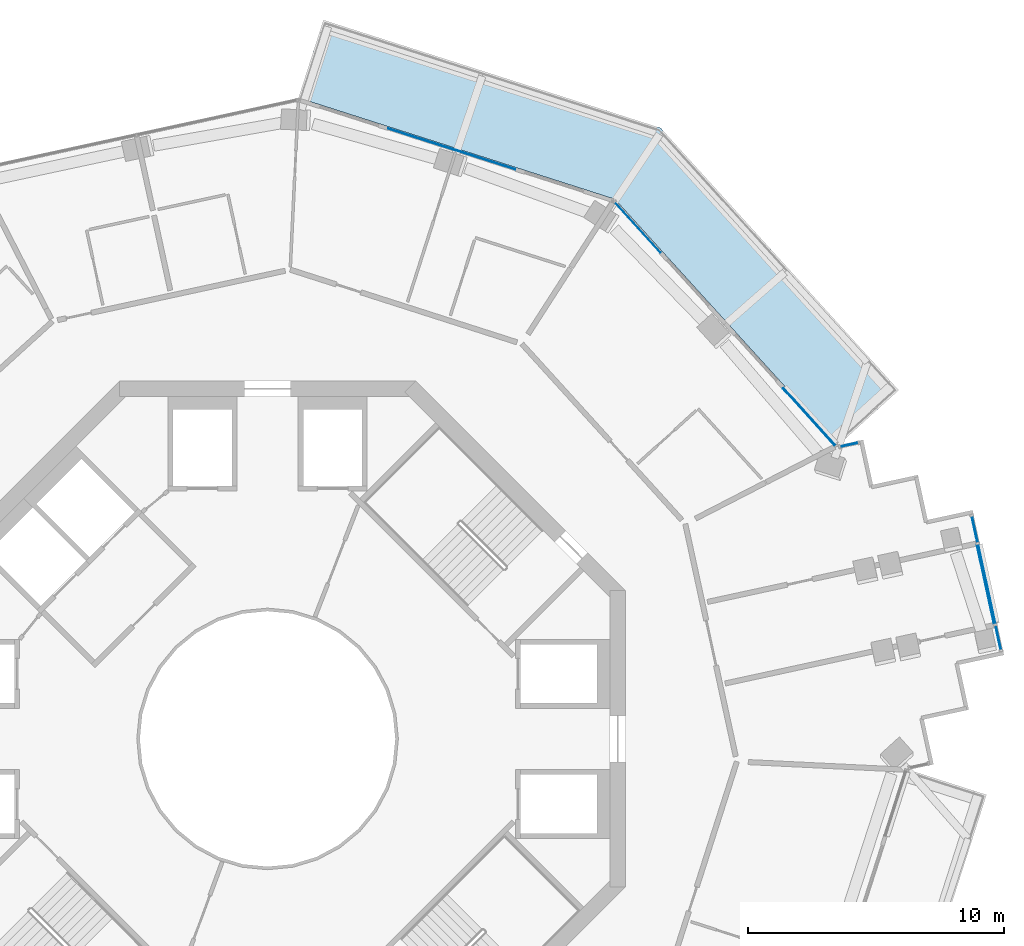
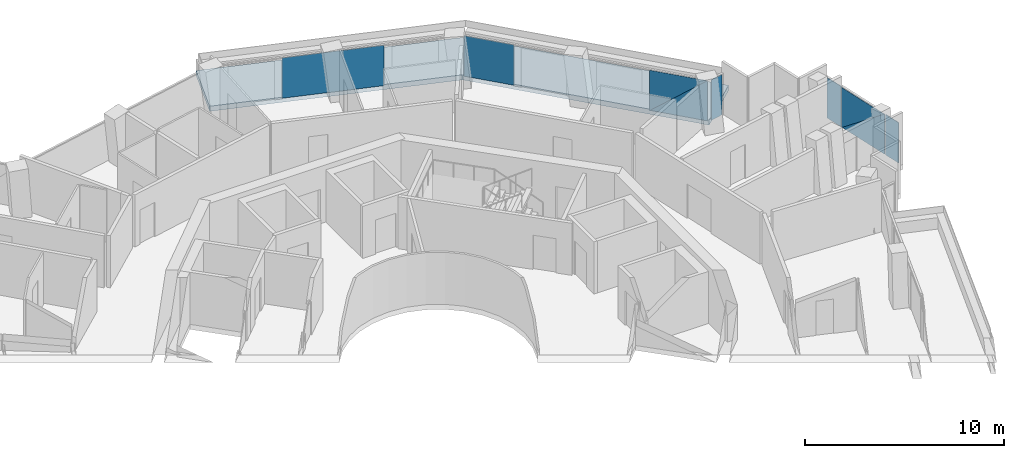
# One storey, part 14 of 23: 9 plates, 1 slab, 4 elements without a shape of their own.
"""IFC4 building model written with IfcOpenShell, lengths in metres."""

from ifc_helpers import new_model, si_unit, direction, frame, origin, origin_2d, place, context, subcontext, project, spatial, polyline, rectangle, outline, extrude, material, layer, layer_set, type_object, element, aggregate, save


model = new_model("IFC4")

# Units and contexts
model_context = context("Model", 3, precision=1e-05, world=origin(), true_north=direction((0.0, 1.0)))
body_context = subcontext(model_context, "Body", "Model", "MODEL_VIEW")
ifc_project = project(units=[si_unit("LENGTHUNIT", "METRE"), si_unit("AREAUNIT", "SQUARE_METRE"), si_unit("VOLUMEUNIT", "CUBIC_METRE"), si_unit("PLANEANGLEUNIT", "RADIAN"), si_unit("MASSUNIT", "GRAM", prefix="KILO")], contexts=[model_context])

# Site, building, storey
site_placement = place(None, origin())
site = spatial("IfcSite", under=ifc_project, at=site_placement, CompositionType="ELEMENT")
building_placement = place(site_placement, origin())
building = spatial("IfcBuilding", under=site, at=building_placement, Name="Verdalira Terraces Hotel", CompositionType="ELEMENT")
storey_placement = place(building_placement, frame((0.0, 0.0, 205.5)))
storey = spatial("IfcBuildingStorey", under=building, at=storey_placement, Name="L50", CompositionType="ELEMENT", Elevation=205.5)

# Slab
ifc_material_1 = material(Name="Precast concrete C40/50", Category="concrete")
ifc_layer_1 = layer(ifc_material_1, 0.31005859375)
ifc_layer_set_1 = layer_set([ifc_layer_1], Name="Balcony deck 310")
slab_type = type_object("IfcSlabType", Name="Balcony deck 310", PredefinedType="FLOOR", material=ifc_layer_set_1)
slab_placement = place(storey_placement, frame((0.0, 0.0, -0.310059)))
element("IfcSlab", 1, at=slab_placement, inside=storey, type_object=slab_type, Name="Balcony deck", PredefinedType="FLOOR", context=body_context, shape_type="SweptSolid", body=[
    extrude(outline(polyline([(2.185303, 28.132324), (1.209229, 25.084961), (13.589844, 21.119629), (22.328857, 11.495117), (24.697998, 13.64624), (15.382324, 23.905518), (2.185303, 28.132324)])), origin(), (0.0, 0.0, 1.0), 0.310059),
])

# Curtain wall, plates
ifc_material_2 = material(Name="Clear glass", Category="glass")
ifc_layer_2 = layer(ifc_material_2, 0.14990234375)
ifc_layer_set_2 = layer_set([ifc_layer_2], Name="CW1 curtain wall")
curtain_wall_type_1 = type_object("IfcCurtainWallType", Name="CW1 curtain wall", PredefinedType="NOTDEFINED", material=ifc_layer_set_2)
curtain_wall_1_placement = place(storey_placement, origin())
curtain_wall_1 = element("IfcCurtainWall", 2, at=curtain_wall_1_placement, inside=storey, type_object=curtain_wall_type_1, Name="CW1 curtain wall L50 edge 39", PredefinedType="NOTDEFINED")
ifc_material_3 = material(Name="Clear glass", Category="glass")
ifc_layer_3 = layer(ifc_material_3, 0.028076171875)
ifc_layer_set_3 = layer_set([ifc_layer_3], Name="CW1 glass unit 28")
plate_type_1 = type_object("IfcPlateType", Name="CW1 glass unit 28", PredefinedType="CURTAIN_PANEL", material=ifc_layer_set_3)
plate_1_placement = place(storey_placement, frame((21.200684, 12.60498, 1.237549), z_axis=(0.740335466, 0.672237605, 0.0), x_axis=(-0.672237605, 0.740335466, 0.0)))
plate_1 = element("IfcPlate", 3, at=plate_1_placement, type_object=plate_type_1, Name="CW1 glass unit", PredefinedType="CURTAIN_PANEL", context=body_context, shape_type="SweptSolid", body=[
    extrude(outline(polyline([(-1.52002, -1.237549), (1.52002, -1.237549), (-1.52002, 1.237549), (-1.52002, -1.237549)])), origin(), (0.0, 0.0, 1.0), 0.028076),
])
plate_2_placement = place(storey_placement, frame((21.179199, 12.585449, 1.237549), z_axis=(0.740335466, 0.672237605, 0.0), x_axis=(-0.672237605, 0.740335466, 0.0)))
plate_2 = element("IfcPlate", 4, at=plate_2_placement, type_object=plate_type_1, Name="CW1 glass unit", PredefinedType="CURTAIN_PANEL", context=body_context, shape_type="SweptSolid", body=[
    extrude(outline(polyline([(1.52002, -1.237549), (1.52002, 1.237549), (-1.52002, 1.237549), (1.52002, -1.237549)])), origin(), (0.0, 0.0, 1.0), 0.028076),
])
plate_3_placement = place(storey_placement, frame((14.488525, 20.018311, 0.0), z_axis=(0.0, 0.0, 1.0), x_axis=(-0.672237605, 0.740335466, 0.0)))
plate_3 = element("IfcPlate", 5, at=plate_3_placement, type_object=plate_type_1, Name="CW1 glass unit", PredefinedType="CURTAIN_PANEL", context=body_context, shape_type="SweptSolid", body=[
    extrude(rectangle(XDim=2.638428, YDim=0.028076, at=origin_2d()), origin(), (0.0, 0.0, 1.0), 2.475098),
])
aggregate(curtain_wall_1, [plate_1, plate_2, plate_3])

# Curtain wall, plate
curtain_wall_2_placement = place(storey_placement, origin())
curtain_wall_2 = element("IfcCurtainWall", 6, at=curtain_wall_2_placement, inside=storey, type_object=curtain_wall_type_1, Name="CW1 curtain wall L50 edge 40", PredefinedType="NOTDEFINED")
plate_4_placement = place(storey_placement, frame((7.205811, 23.085449, 0.0), z_axis=(0.0, 0.0, 1.0), x_axis=(-0.952342576, 0.305030519, 0.0)))
plate_4 = element("IfcPlate", 7, at=plate_4_placement, type_object=plate_type_1, Name="CW1 glass unit", PredefinedType="CURTAIN_PANEL", context=body_context, shape_type="SweptSolid", body=[
    extrude(rectangle(XDim=5.223633, YDim=0.028076, at=origin_2d()), origin(), (0.0, 0.0, 1.0), 2.475098),
])
aggregate(curtain_wall_2, [plate_4])

ifc_material_4 = material(Name="Clear glass", Category="glass")
ifc_layer_4 = layer(ifc_material_4, 0.14990234375)
ifc_layer_set_4 = layer_set([ifc_layer_4], Name="CW2 curtain wall")
curtain_wall_type_2 = type_object("IfcCurtainWallType", Name="CW2 curtain wall", PredefinedType="NOTDEFINED", material=ifc_layer_set_4)
curtain_wall_3_placement = place(storey_placement, origin())
curtain_wall_3 = element("IfcCurtainWall", 8, at=curtain_wall_3_placement, inside=storey, type_object=curtain_wall_type_2, Name="CW2 curtain wall L50 edge 38", PredefinedType="NOTDEFINED")
ifc_material_5 = material(Name="Clear glass", Category="glass")
ifc_layer_5 = layer(ifc_material_5, 0.031982421875)
ifc_layer_set_5 = layer_set([ifc_layer_5], Name="CW2 glass unit 32")
plate_type_2 = type_object("IfcPlateType", Name="CW2 glass unit 32", PredefinedType="CURTAIN_PANEL", material=ifc_layer_set_5)
plate_5_placement = place(storey_placement, frame((22.76001, 11.511963, 0.0), z_axis=(0.0, 0.0, 1.0), x_axis=(-0.977268124, -0.21200711, 0.0)))
plate_5 = element("IfcPlate", 9, at=plate_5_placement, type_object=plate_type_2, Name="CW2 glass unit", PredefinedType="CURTAIN_PANEL", context=body_context, shape_type="SweptSolid", body=[
    extrude(rectangle(XDim=0.709961, YDim=0.031982, at=origin_2d()), origin(), (0.0, 0.0, 1.0), 2.475098),
])
aggregate(curtain_wall_3, [plate_5])

# Curtain wall, plates
ifc_material_6 = material(Name="Clear glass", Category="glass")
ifc_layer_6 = layer(ifc_material_6, 0.14990234375)
ifc_layer_set_6 = layer_set([ifc_layer_6], Name="CW3 curtain wall")
curtain_wall_type_3 = type_object("IfcCurtainWallType", Name="CW3 curtain wall", PredefinedType="NOTDEFINED", material=ifc_layer_set_6)
curtain_wall_4_placement = place(storey_placement, origin())
curtain_wall_4 = element("IfcCurtainWall", 10, at=curtain_wall_4_placement, inside=storey, type_object=curtain_wall_type_3, Name="CW3 curtain wall L50 edge 33", PredefinedType="NOTDEFINED")
ifc_material_7 = material(Name="Clear glass", Category="glass")
ifc_layer_7 = layer(ifc_material_7, 0.035888671875)
ifc_layer_set_7 = layer_set([ifc_layer_7], Name="CW3 glass unit 36")
plate_type_3 = type_object("IfcPlateType", Name="CW3 glass unit 36", PredefinedType="CURTAIN_PANEL", material=ifc_layer_set_7)
plate_6_placement = place(storey_placement, frame((28.593994, 3.959229, 0.0), z_axis=(0.0, 0.0, 1.0), x_axis=(-0.21200711, 0.977268124, 0.0)))
plate_6 = element("IfcPlate", 11, at=plate_6_placement, type_object=plate_type_3, Name="CW3 glass unit", PredefinedType="CURTAIN_PANEL", context=body_context, shape_type="SweptSolid", body=[
    extrude(rectangle(XDim=0.954346, YDim=0.035889, at=origin_2d()), origin(), (0.0, 0.0, 1.0), 2.475098),
])
plate_7_placement = place(storey_placement, frame((28.120605, 6.055908, 1.237549), z_axis=(0.977268124, 0.21200711, 0.0), x_axis=(-0.21200711, 0.977268124, 0.0)))
plate_7 = element("IfcPlate", 12, at=plate_7_placement, type_object=plate_type_3, Name="CW3 glass unit", PredefinedType="CURTAIN_PANEL", context=body_context, shape_type="SweptSolid", body=[
    extrude(outline(polyline([(-1.592285, -1.237549), (1.592285, -1.237549), (-1.592285, 1.237549), (-1.592285, -1.237549)])), origin(), (0.0, 0.0, 1.0), 0.035889),
])
plate_8_placement = place(storey_placement, frame((28.084473, 6.048096, 1.237549), z_axis=(0.977268124, 0.21200711, 0.0), x_axis=(-0.21200711, 0.977268124, 0.0)))
plate_8 = element("IfcPlate", 13, at=plate_8_placement, type_object=plate_type_3, Name="CW3 glass unit", PredefinedType="CURTAIN_PANEL", context=body_context, shape_type="SweptSolid", body=[
    extrude(outline(polyline([(1.592285, -1.237549), (1.592285, 1.237549), (-1.592285, 1.237549), (1.592285, -1.237549)])), origin(), (0.0, 0.0, 1.0), 0.035889),
])
plate_9_placement = place(storey_placement, frame((27.67334, 8.202881, 0.0), z_axis=(0.0, 0.0, 1.0), x_axis=(-0.21200711, 0.977268124, 0.0)))
plate_9 = element("IfcPlate", 14, at=plate_9_placement, type_object=plate_type_3, Name="CW3 glass unit", PredefinedType="CURTAIN_PANEL", context=body_context, shape_type="SweptSolid", body=[
    extrude(rectangle(XDim=1.041016, YDim=0.035889, at=origin_2d()), origin(), (0.0, 0.0, 1.0), 2.475098),
])
aggregate(curtain_wall_4, [plate_6, plate_7, plate_8, plate_9])

save(model, "model.ifc")
